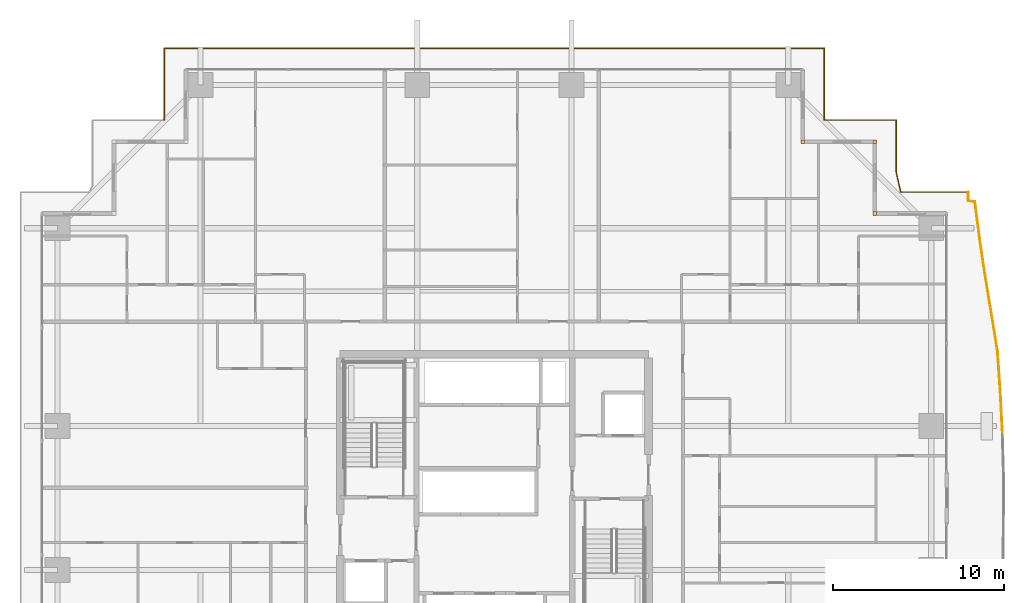
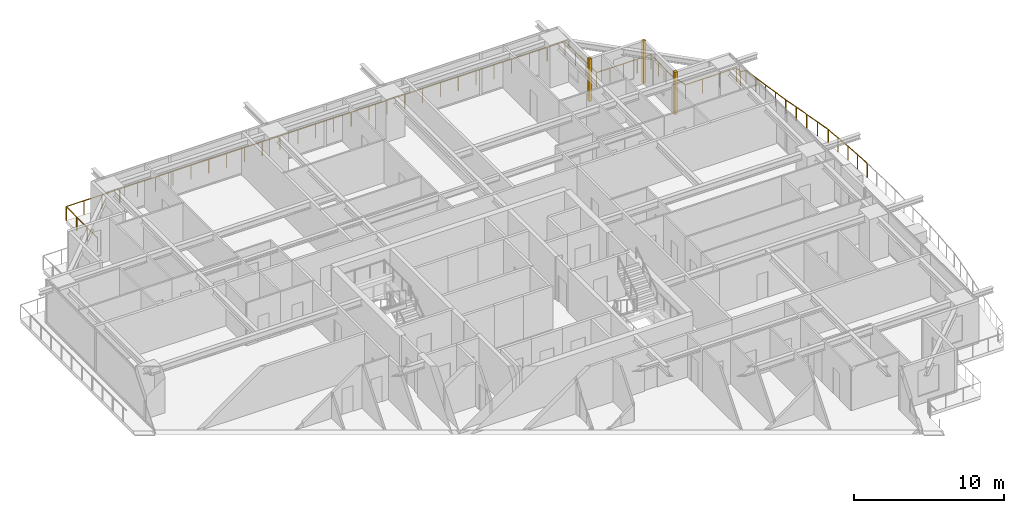
# One storey, part 39 of 39: 3 coverings, 2 railings.
"""IFC4 building model written with IfcOpenShell, lengths in metres."""

import ifcopenshell
import ifcopenshell.guid

model = None  # the IFC model being written
_history = None  # IfcOwnerHistory: only IFC2X3 demands one
_inside = {}  # id of a spatial element -> (the spatial element, [elements in it])
_under = {}  # id of a project, library or spatial element -> (it, [spatial elements below it])
_declared = {}  # id of a project -> (the project, [libraries it declares])
_typed = {}  # id of a type object -> (the type object, [elements of that type])
_made_of = {}  # id of a material, layer set ... -> (it, [elements and type objects made of it])


def new_model(schema):
    """Start an empty IFC model of exactly this schema.

    Asked for "IFC4X3", IfcOpenShell would pick the latest addendum, in which some entities
    have other attributes; the version numbers below select the first issue.
    IFC2X3 requires an IfcOwnerHistory on every rooted entity: one is made here for all.
    """
    global model, _history
    if schema == "IFC4X3":
        model = ifcopenshell.file(schema_version=(4, 3, 0, 0))
    else:
        model = ifcopenshell.file(schema=schema)
    _inside.clear()
    _under.clear()
    _declared.clear()
    _typed.clear()
    _made_of.clear()
    _history = None
    if model.schema == "IFC2X3":
        org = make("IfcOrganization", Name="unknown")
        user = make(
            "IfcPersonAndOrganization",
            ThePerson=make("IfcPerson", FamilyName="unknown"),
            TheOrganization=org,
        )
        app = make(
            "IfcApplication",
            ApplicationDeveloper=org,
            Version="unknown",
            ApplicationFullName="unknown",
            ApplicationIdentifier="unknown",
        )
        _history = make(
            "IfcOwnerHistory",
            OwningUser=user,
            OwningApplication=app,
            ChangeAction="ADDED",
            CreationDate=0,
        )
    return model


def make(cls, **values):
    """One entity of the class cls with the attributes given. An attribute that is None is left unset."""
    return model.create_entity(
        cls, **{name: value for name, value in values.items() if value is not None}
    )


def rooted(cls, **values):
    """An entity with a GlobalId (a new one), such as an element, a storey or a relation."""
    return make(cls, GlobalId=ifcopenshell.guid.new(), OwnerHistory=_history, **values)


def si_unit(unit_type, name, prefix=None):
    """IfcSIUnit, for example si_unit("LENGTHUNIT", "METRE", prefix="MILLI")."""
    return make("IfcSIUnit", UnitType=unit_type, Prefix=prefix, Name=name)


def assignment(units):
    """IfcUnitAssignment: the units of a project."""
    return None if units is None else make("IfcUnitAssignment", Units=units)


def point(xyz):
    """IfcCartesianPoint."""
    return None if xyz is None else make("IfcCartesianPoint", Coordinates=xyz)


def direction(xyz):
    """IfcDirection."""
    return None if xyz is None else make("IfcDirection", DirectionRatios=xyz)


def frame(location, z_axis=None, x_axis=None):
    """IfcAxis2Placement3D, a coordinate frame: its origin and axes. An axis left out is left unset."""
    return make(
        "IfcAxis2Placement3D",
        Location=point(location),
        Axis=direction(z_axis),
        RefDirection=direction(x_axis),
    )


def frame_2d(location, x_axis=None):
    """IfcAxis2Placement2D, a coordinate frame in the plane: its origin and x axis."""
    return make(
        "IfcAxis2Placement2D", Location=point(location), RefDirection=direction(x_axis)
    )


def origin():
    """The frame at (0, 0, 0) with its axes left unset."""
    return frame((0.0, 0.0, 0.0))


def origin_2d():
    """The frame at (0, 0) in the plane with its x axis left unset."""
    return frame_2d((0.0, 0.0))


def place(relative_to, where):
    """IfcLocalPlacement: puts the frame where relative to a parent placement (None: the world)."""
    return make(
        "IfcLocalPlacement", PlacementRelTo=relative_to, RelativePlacement=where
    )


def context(
    kind, dimensions, precision=None, world=None, true_north=None, identifier=None
):
    """IfcGeometricRepresentationContext, for example the 3D "Model" context."""
    return make(
        "IfcGeometricRepresentationContext",
        ContextIdentifier=identifier,
        ContextType=kind,
        CoordinateSpaceDimension=dimensions,
        Precision=precision,
        WorldCoordinateSystem=world,
        TrueNorth=true_north,
    )


def subcontext(parent, identifier, kind, view, scale=None):
    """IfcGeometricRepresentationSubContext, for example "Body" below "Model"."""
    return make(
        "IfcGeometricRepresentationSubContext",
        ContextIdentifier=identifier,
        ContextType=kind,
        ParentContext=parent,
        TargetScale=scale,
        TargetView=view,
    )


def project(units=None, contexts=None):
    """IfcProject with its units and contexts."""
    return rooted(
        "IfcProject",
        Name="project",
        RepresentationContexts=contexts,
        UnitsInContext=assignment(units),
    )


def spatial(cls, under=None, at=None, **own):
    """A site, building, storey or space (cls), placed at a placement, below another one or the project."""
    s = rooted(cls, ObjectPlacement=at, **own)
    if under is not None:
        _under.setdefault(under.id(), (under, []))[1].append(s)
    return s


def profile(cls, at=None, kind="AREA", **sizes):
    """A parametric profile (cls). Its sizes go by their IFC names, for example OverallWidth=200.0."""
    return make(cls, ProfileType=kind, Position=at, **sizes)


def rectangle(**sizes):
    """IfcRectangleProfileDef."""
    return profile("IfcRectangleProfileDef", **sizes)


def circle(**sizes):
    """IfcCircleProfileDef."""
    return profile("IfcCircleProfileDef", **sizes)


def extrude(swept, where, along, depth):
    """IfcExtrudedAreaSolid: the profile swept, set in the frame where, extruded along a direction by depth."""
    return make(
        "IfcExtrudedAreaSolid",
        SweptArea=swept,
        Position=where,
        ExtrudedDirection=direction(along),
        Depth=depth,
    )


def shape(context_of_items, identifier, shape_type, items):
    """IfcShapeRepresentation: the items that make up one representation, for example the "Body"."""
    return make(
        "IfcShapeRepresentation",
        ContextOfItems=context_of_items,
        RepresentationIdentifier=identifier,
        RepresentationType=shape_type,
        Items=items,
    )


def source(mapping_origin, context_of_items, identifier, shape_type, items):
    """IfcRepresentationMap: a shape defined once, which mapped items show again and again."""
    return make(
        "IfcRepresentationMap",
        MappingOrigin=mapping_origin,
        MappedRepresentation=shape(context_of_items, identifier, shape_type, items),
    )


def transform(
    local_origin,
    x_axis=None,
    y_axis=None,
    z_axis=None,
    scale=None,
    scale2=None,
    scale3=None,
    uniform=True,
):
    """IfcCartesianTransformationOperator3D, or its non-uniform kind. x_axis, y_axis, z_axis: its Axis1, 2, 3."""
    if uniform:
        return make(
            "IfcCartesianTransformationOperator3D",
            Axis1=direction(x_axis),
            Axis2=direction(y_axis),
            LocalOrigin=point(local_origin),
            Scale=scale,
            Axis3=direction(z_axis),
        )
    return make(
        "IfcCartesianTransformationOperator3DnonUniform",
        Axis1=direction(x_axis),
        Axis2=direction(y_axis),
        LocalOrigin=point(local_origin),
        Scale=scale,
        Axis3=direction(z_axis),
        Scale2=scale2,
        Scale3=scale3,
    )


def mapped(mapping_source, mapping_target):
    """IfcMappedItem: shows the shape of a source again, moved by a transform."""
    return make(
        "IfcMappedItem", MappingSource=mapping_source, MappingTarget=mapping_target
    )


def material(Name=None, Category=None):
    """IfcMaterial."""
    return make("IfcMaterial", Name=Name, Category=Category)


def layer(
    of_material, thickness, ventilated=None, Name=None, Category=None, Priority=None
):
    """IfcMaterialLayer: one layer of a wall or slab, of a material (None: an air gap)."""
    return make(
        "IfcMaterialLayer",
        Material=of_material,
        LayerThickness=thickness,
        IsVentilated=ventilated,
        Name=Name,
        Category=Category,
        Priority=Priority,
    )


def layer_set(layers, Name=None):
    """IfcMaterialLayerSet."""
    return make("IfcMaterialLayerSet", MaterialLayers=layers, LayerSetName=Name)


def made_of(thing, what):
    """Note that an element or type object is made of a material, layer set ...; save() writes the relation."""
    if what is not None:
        _made_of.setdefault(what.id(), (what, []))[1].append(thing)
    return thing


def type_object(cls, material=None, **own):
    """A type object (cls), such as IfcWallType, which elements share."""
    return made_of(rooted(cls, **own), material)


def element(
    cls,
    number,
    at=None,
    inside=None,
    cuts=None,
    type_object=None,
    material=None,
    context=None,
    identifier="Body",
    shape_type=None,
    held_by="IfcProductDefinitionShape",
    body=None,
    shapes=None,
    **own,
):
    """One element of the class cls, such as IfcWall. Its Tag is "e" and its number.

    at: its placement. inside: the storey or other place that contains it. cuts: it is an
    opening in that element (IfcRelVoidsElement). A single representation is given by context,
    identifier, shape_type and body (its items); several are given by shapes. held_by: the class
    of the entity that holds the representations. save() writes the other relations.
    """
    e = rooted(cls, Tag="e%d" % number, ObjectPlacement=at, **own)
    if body is not None:
        shapes = [shape(context, identifier, shape_type, body)]
    if shapes is not None:
        e.Representation = make(held_by, Representations=shapes)
    if inside is not None:
        _inside.setdefault(inside.id(), (inside, []))[1].append(e)
    if cuts is not None:
        rooted(
            "IfcRelVoidsElement", RelatingBuildingElement=cuts, RelatedOpeningElement=e
        )
    if type_object is not None:
        _typed.setdefault(type_object.id(), (type_object, []))[1].append(e)
    return made_of(e, material)


def aggregate(whole, parts):
    """IfcRelAggregates: a whole, such as a stair, and the parts it consists of."""
    return rooted("IfcRelAggregates", RelatingObject=whole, RelatedObjects=parts)


def save(model, path):
    """Write the relations noted so far, then the file.

    IfcRelAggregates (storeys below a building ...), IfcRelContainedInSpatialStructure (elements
    in a storey), IfcRelDefinesByType, IfcRelAssociatesMaterial and IfcRelDeclares: one each for
    every whole, place, type object, material and project.
    """
    for whole, parts in _under.values():
        aggregate(whole, parts)
    for where, things in _inside.values():
        rooted(
            "IfcRelContainedInSpatialStructure",
            RelatedElements=things,
            RelatingStructure=where,
        )
    for kind, things in _typed.values():
        rooted("IfcRelDefinesByType", RelatedObjects=things, RelatingType=kind)
    for what, things in _made_of.values():
        rooted("IfcRelAssociatesMaterial", RelatedObjects=things, RelatingMaterial=what)
    for by, libraries in _declared.values():
        rooted("IfcRelDeclares", RelatingContext=by, RelatedDefinitions=libraries)
    model.write(path)


model = new_model("IFC4")

# Units and contexts
model_context = context("Model", 3, precision=1e-05, world=origin(), true_north=direction((0.0, 1.0)))
body_context = subcontext(model_context, "Body", "Model", "MODEL_VIEW")
ifc_project = project(units=[si_unit("LENGTHUNIT", "METRE"), si_unit("AREAUNIT", "SQUARE_METRE"), si_unit("VOLUMEUNIT", "CUBIC_METRE"), si_unit("PLANEANGLEUNIT", "RADIAN"), si_unit("MASSUNIT", "GRAM", prefix="KILO")], contexts=[model_context])

# Site, building, storey
site_placement = place(None, origin())
site = spatial("IfcSite", under=ifc_project, at=site_placement, CompositionType="ELEMENT")
building_placement = place(site_placement, origin())
building = spatial("IfcBuilding", under=site, at=building_placement, Name="Serunith Strait Residences", CompositionType="ELEMENT")
storey_placement = place(building_placement, frame((0.0, 0.0, 49.199951171875)))
storey = spatial("IfcBuildingStorey", under=building, at=storey_placement, Name="L11", CompositionType="ELEMENT", Elevation=49.199951171875)

# Railings
ifc_material_1 = material(Name="Stainless Steel & Laminated Glass Balustrade", Category="steel")
railing_type = type_object("IfcRailingType", Name="RLG-BALC-1150", PredefinedType="BALUSTRADE", material=ifc_material_1)
railing_1_placement = place(storey_placement, frame((13.139892578125, 47.260009765625, -0.050048828125)))
element("IfcRailing", 1, at=railing_1_placement, inside=storey, type_object=railing_type, Name="L11 Swirling Balcony Perimeter Balustrade 2", PredefinedType="BALUSTRADE", context=body_context, shape_type="SweptSolid", body=[
    extrude(circle(Radius=0.02392578125, at=origin_2d()), frame((0.0, 0.001953125, 1.1259765625), z_axis=(0.0, 1.0, 0.0), x_axis=(-1.0, 0.0, 0.0)), (0.0, 0.0, 1.0), 4.196044921875),
    extrude(circle(Radius=0.02392578125, at=origin_2d()), frame((0.001953125, 4.199951171875, 1.1259765625), z_axis=(1.0, 0.0, 0.0), x_axis=(0.0, 1.0, 0.0)), (0.0, 0.0, 1.0), 38.51611328125),
    extrude(circle(Radius=0.02392578125, at=origin_2d()), frame((38.52001953125, 4.197998046875, 1.1259765625), z_axis=(0.0, -1.0, 0.0), x_axis=(1.0, 0.0, 0.0)), (0.0, 0.0, 1.0), 4.196044921875),
    extrude(circle(Radius=0.02392578125, at=origin_2d()), frame((38.52197265625, 0.0, 1.1259765625), z_axis=(1.0, 0.0, 0.0), x_axis=(0.0, 1.0, 0.0)), (0.0, 0.0, 1.0), 4.1962890625),
    extrude(circle(Radius=0.02392578125, at=origin_2d()), frame((42.72021484375, -0.001953125, 1.1259765625), z_axis=(0.0, -1.0, 0.0), x_axis=(1.0, 0.0, 0.0)), (0.0, 0.0, 1.0), 3.0458984375),
    extrude(circle(Radius=0.02392578125, at=origin_2d()), frame((42.720703125, -3.0517578125, 1.1259765625), z_axis=(0.221486899047, -0.975163347112, 0.0), x_axis=(0.975163347112, 0.221486899047, 0.0)), (0.0, 0.0, 1.0), 1.175537109375),
    extrude(circle(Radius=0.02392578125, at=origin_2d()), frame((42.9833984375, -4.199951171875, 1.1259765625), z_axis=(1.0, 0.0, 0.0), x_axis=(0.0, 1.0, 0.0)), (0.0, 0.0, 1.0), 3.934814453125),
    extrude(circle(Radius=0.02099609375, at=origin_2d()), origin(), (0.0, 0.0, 1.0), 1.099853515625),
    extrude(circle(Radius=0.02099609375, at=origin_2d()), frame((0.0, 1.39990234375, 0.0)), (0.0, 0.0, 1.0), 1.099853515625),
    extrude(circle(Radius=0.02099609375, at=origin_2d()), frame((0.0, 2.800048828125, 0.0)), (0.0, 0.0, 1.0), 1.099853515625),
    extrude(circle(Radius=0.02099609375, at=origin_2d()), frame((0.0, 4.199951171875, 0.0)), (0.0, 0.0, 1.0), 1.099853515625),
    extrude(circle(Radius=0.02099609375, at=origin_2d()), frame((1.375732421875, 4.199951171875, 0.0)), (0.0, 0.0, 1.0), 1.099853515625),
    extrude(circle(Radius=0.02099609375, at=origin_2d()), frame((2.75146484375, 4.199951171875, 0.0)), (0.0, 0.0, 1.0), 1.099853515625),
    extrude(circle(Radius=0.02099609375, at=origin_2d()), frame((4.127197265625, 4.199951171875, 0.0)), (0.0, 0.0, 1.0), 1.099853515625),
    extrude(circle(Radius=0.02099609375, at=origin_2d()), frame((5.5029296875, 4.199951171875, 0.0)), (0.0, 0.0, 1.0), 1.099853515625),
    extrude(circle(Radius=0.02099609375, at=origin_2d()), frame((6.878662109375, 4.199951171875, 0.0)), (0.0, 0.0, 1.0), 1.099853515625),
    extrude(circle(Radius=0.02099609375, at=origin_2d()), frame((8.25439453125, 4.199951171875, 0.0)), (0.0, 0.0, 1.0), 1.099853515625),
    extrude(circle(Radius=0.02099609375, at=origin_2d()), frame((9.6298828125, 4.199951171875, 0.0)), (0.0, 0.0, 1.0), 1.099853515625),
    extrude(circle(Radius=0.02099609375, at=origin_2d()), frame((11.005615234375, 4.199951171875, 0.0)), (0.0, 0.0, 1.0), 1.099853515625),
    extrude(circle(Radius=0.02099609375, at=origin_2d()), frame((12.38134765625, 4.199951171875, 0.0)), (0.0, 0.0, 1.0), 1.099853515625),
    extrude(circle(Radius=0.02099609375, at=origin_2d()), frame((13.757080078125, 4.199951171875, 0.0)), (0.0, 0.0, 1.0), 1.099853515625),
    extrude(circle(Radius=0.02099609375, at=origin_2d()), frame((15.1328125, 4.199951171875, 0.0)), (0.0, 0.0, 1.0), 1.099853515625),
    extrude(circle(Radius=0.02099609375, at=origin_2d()), frame((16.508544921875, 4.199951171875, 0.0)), (0.0, 0.0, 1.0), 1.099853515625),
    extrude(circle(Radius=0.02099609375, at=origin_2d()), frame((17.88427734375, 4.199951171875, 0.0)), (0.0, 0.0, 1.0), 1.099853515625),
    extrude(circle(Radius=0.02099609375, at=origin_2d()), frame((19.260009765625, 4.199951171875, 0.0)), (0.0, 0.0, 1.0), 1.099853515625),
    extrude(circle(Radius=0.02099609375, at=origin_2d()), frame((20.6357421875, 4.199951171875, 0.0)), (0.0, 0.0, 1.0), 1.099853515625),
    extrude(circle(Radius=0.02099609375, at=origin_2d()), frame((22.011474609375, 4.199951171875, 0.0)), (0.0, 0.0, 1.0), 1.099853515625),
    extrude(circle(Radius=0.02099609375, at=origin_2d()), frame((23.38720703125, 4.199951171875, 0.0)), (0.0, 0.0, 1.0), 1.099853515625),
    extrude(circle(Radius=0.02099609375, at=origin_2d()), frame((24.762939453125, 4.199951171875, 0.0)), (0.0, 0.0, 1.0), 1.099853515625),
    extrude(circle(Radius=0.02099609375, at=origin_2d()), frame((26.138671875, 4.199951171875, 0.0)), (0.0, 0.0, 1.0), 1.099853515625),
    extrude(circle(Radius=0.02099609375, at=origin_2d()), frame((27.514404296875, 4.199951171875, 0.0)), (0.0, 0.0, 1.0), 1.099853515625),
    extrude(circle(Radius=0.02099609375, at=origin_2d()), frame((28.89013671875, 4.199951171875, 0.0)), (0.0, 0.0, 1.0), 1.099853515625),
    extrude(circle(Radius=0.02099609375, at=origin_2d()), frame((30.265625, 4.199951171875, 0.0)), (0.0, 0.0, 1.0), 1.099853515625),
    extrude(circle(Radius=0.02099609375, at=origin_2d()), frame((31.641357421875, 4.199951171875, 0.0)), (0.0, 0.0, 1.0), 1.099853515625),
    extrude(circle(Radius=0.02099609375, at=origin_2d()), frame((33.01708984375, 4.199951171875, 0.0)), (0.0, 0.0, 1.0), 1.099853515625),
    extrude(circle(Radius=0.02099609375, at=origin_2d()), frame((34.392822265625, 4.199951171875, 0.0)), (0.0, 0.0, 1.0), 1.099853515625),
    extrude(circle(Radius=0.02099609375, at=origin_2d()), frame((35.7685546875, 4.199951171875, 0.0)), (0.0, 0.0, 1.0), 1.099853515625),
    extrude(circle(Radius=0.02099609375, at=origin_2d()), frame((37.144287109375, 4.199951171875, 0.0)), (0.0, 0.0, 1.0), 1.099853515625),
    extrude(circle(Radius=0.02099609375, at=origin_2d()), frame((38.52001953125, 4.199951171875, 0.0)), (0.0, 0.0, 1.0), 1.099853515625),
    extrude(circle(Radius=0.02099609375, at=origin_2d()), frame((38.52001953125, 2.800048828125, 0.0)), (0.0, 0.0, 1.0), 1.099853515625),
    extrude(circle(Radius=0.02099609375, at=origin_2d()), frame((38.52001953125, 1.39990234375, 0.0)), (0.0, 0.0, 1.0), 1.099853515625),
    extrude(circle(Radius=0.02099609375, at=origin_2d()), frame((38.52001953125, 0.0, 0.0)), (0.0, 0.0, 1.0), 1.099853515625),
    extrude(circle(Radius=0.02099609375, at=origin_2d()), frame((39.570068359375, 0.0, 0.0)), (0.0, 0.0, 1.0), 1.099853515625),
    extrude(circle(Radius=0.02099609375, at=origin_2d()), frame((40.6201171875, 0.0, 0.0)), (0.0, 0.0, 1.0), 1.099853515625),
    extrude(circle(Radius=0.02099609375, at=origin_2d()), frame((41.670166015625, 0.0, 0.0)), (0.0, 0.0, 1.0), 1.099853515625),
    extrude(circle(Radius=0.02099609375, at=origin_2d()), frame((42.72021484375, 0.0, 0.0)), (0.0, 0.0, 1.0), 1.099853515625),
    extrude(circle(Radius=0.02099609375, at=origin_2d()), frame((42.72021484375, -1.0166015625, 0.0)), (0.0, 0.0, 1.0), 1.099853515625),
    extrude(circle(Radius=0.02099609375, at=origin_2d()), frame((42.72021484375, -2.033203125, 0.0)), (0.0, 0.0, 1.0), 1.099853515625),
    extrude(circle(Radius=0.02099609375, at=origin_2d()), frame((42.72021484375, -3.0498046875, 0.0)), (0.0, 0.0, 1.0), 1.099853515625),
    extrude(circle(Radius=0.02099609375, at=origin_2d()), frame((42.9814453125, -4.199951171875, 0.0)), (0.0, 0.0, 1.0), 1.099853515625),
    extrude(circle(Radius=0.02099609375, at=origin_2d()), frame((44.29443359375, -4.199951171875, 0.0)), (0.0, 0.0, 1.0), 1.099853515625),
    extrude(circle(Radius=0.02099609375, at=origin_2d()), frame((45.607177734375, -4.199951171875, 0.0)), (0.0, 0.0, 1.0), 1.099853515625),
    extrude(circle(Radius=0.02099609375, at=origin_2d()), frame((46.920166015625, -4.199951171875, 0.0)), (0.0, 0.0, 1.0), 1.099853515625),
])
railing_2_placement = place(storey_placement, frame((60.06005859375, 43.06005859375, -0.050048828125)))
element("IfcRailing", 2, at=railing_2_placement, inside=storey, type_object=railing_type, Name="L11 Swirling Balcony Perimeter Balustrade 3", PredefinedType="BALUSTRADE", context=body_context, shape_type="SweptSolid", body=[
    extrude(circle(Radius=0.02392578125, at=origin_2d()), frame((0.0, -0.001953125, 1.1259765625), z_axis=(0.0, -1.0, 0.0), x_axis=(1.0, 0.0, 0.0)), (0.0, 0.0, 1.0), 0.509521484375),
    extrude(circle(Radius=0.02392578125, at=origin_2d()), frame((0.001953125, -0.513671875, 1.1259765625), z_axis=(0.987231726413, -0.159290672555, 0.0), x_axis=(0.159290672555, 0.987231726413, 0.0)), (0.0, 0.0, 1.0), 0.391357421875),
    extrude(circle(Radius=0.02392578125, at=origin_2d()), frame((0.390625, -0.578369140625, 1.1259765625), z_axis=(0.126539058938, -0.99196162555, 0.0), x_axis=(0.99196162555, 0.126539058938, 0.0)), (0.0, 0.0, 1.0), 2.143310546875),
    extrude(circle(Radius=0.02392578125, at=origin_2d()), frame((0.662353515625, -2.70849609375, 1.1259765625), z_axis=(0.148252645918, -0.988949519934, 0.0), x_axis=(0.988949519934, 0.148252645918, 0.0)), (0.0, 0.0, 1.0), 2.17138671875),
    extrude(circle(Radius=0.02392578125, at=origin_2d()), frame((0.98486328125, -4.85986328125, 1.1259765625), z_axis=(0.16364938704, -0.986518564509, 0.0), x_axis=(0.986518564509, 0.16364938704, 0.0)), (0.0, 0.0, 1.0), 2.21435546875),
    extrude(circle(Radius=0.02392578125, at=origin_2d()), frame((1.347900390625, -7.04833984375, 1.1259765625), z_axis=(0.159701140245, -0.987165409546, 0.0), x_axis=(0.987165409546, 0.159701140245, 0.0)), (0.0, 0.0, 1.0), 2.272216796875),
    extrude(circle(Radius=0.02392578125, at=origin_2d()), frame((1.71142578125, -9.29541015625, 1.1259765625), z_axis=(0.068026234016, -0.997683532732, 0.0), x_axis=(0.997683532732, 0.068026234016, 0.0)), (0.0, 0.0, 1.0), 2.350341796875),
    extrude(circle(Radius=0.02392578125, at=origin_2d()), frame((1.871337890625, -11.644287109375, 1.1259765625), z_axis=(0.051633945772, -0.998666078148, 0.0), x_axis=(0.998666078148, 0.051633945772, 0.0)), (0.0, 0.0, 1.0), 2.379150390625),
    extrude(circle(Radius=0.02099609375, at=origin_2d()), origin(), (0.0, 0.0, 1.0), 1.099853515625),
    extrude(circle(Radius=0.02099609375, at=origin_2d()), frame((0.0, -0.513427734375, 0.0)), (0.0, 0.0, 1.0), 1.099853515625),
    extrude(circle(Radius=0.02099609375, at=origin_2d()), frame((0.390380859375, -0.576416015625, 0.0)), (0.0, 0.0, 1.0), 1.099853515625),
    extrude(circle(Radius=0.02099609375, at=origin_2d()), frame((0.5263671875, -1.6416015625, 0.0)), (0.0, 0.0, 1.0), 1.099853515625),
    extrude(circle(Radius=0.02099609375, at=origin_2d()), frame((0.662109375, -2.70654296875, 0.0)), (0.0, 0.0, 1.0), 1.099853515625),
    extrude(circle(Radius=0.02099609375, at=origin_2d()), frame((0.8232421875, -3.7822265625, 0.0)), (0.0, 0.0, 1.0), 1.099853515625),
    extrude(circle(Radius=0.02099609375, at=origin_2d()), frame((0.984619140625, -4.85791015625, 0.0)), (0.0, 0.0, 1.0), 1.099853515625),
    extrude(circle(Radius=0.02099609375, at=origin_2d()), frame((1.166015625, -5.9521484375, 0.0)), (0.0, 0.0, 1.0), 1.099853515625),
    extrude(circle(Radius=0.02099609375, at=origin_2d()), frame((1.34765625, -7.04638671875, 0.0)), (0.0, 0.0, 1.0), 1.099853515625),
    extrude(circle(Radius=0.02099609375, at=origin_2d()), frame((1.529296875, -8.169921875, 0.0)), (0.0, 0.0, 1.0), 1.099853515625),
    extrude(circle(Radius=0.02099609375, at=origin_2d()), frame((1.711181640625, -9.29345703125, 0.0)), (0.0, 0.0, 1.0), 1.099853515625),
    extrude(circle(Radius=0.02099609375, at=origin_2d()), frame((1.791259765625, -10.4677734375, 0.0)), (0.0, 0.0, 1.0), 1.099853515625),
    extrude(circle(Radius=0.02099609375, at=origin_2d()), frame((1.871337890625, -11.642333984375, 0.0)), (0.0, 0.0, 1.0), 1.099853515625),
    extrude(circle(Radius=0.02099609375, at=origin_2d()), frame((1.932861328125, -12.832275390625, 0.0)), (0.0, 0.0, 1.0), 1.099853515625),
    extrude(circle(Radius=0.02099609375, at=origin_2d()), frame((1.994384765625, -14.022216796875, 0.0)), (0.0, 0.0, 1.0), 1.099853515625),
])

# Coverings
ifc_material_2 = material(Name="Pale-Champagne Anodised Aluminium", Category="aluminium")
ifc_layer = layer(ifc_material_2, 0.219970703125, Name="Pale-Champagne Anodised Aluminium")
ifc_layer_set = layer_set([ifc_layer], Name="Pale-Champagne Anodised Aluminium")
covering_type = type_object("IfcCoveringType", Name="COV-CORN-TRIM", PredefinedType="CLADDING", material=ifc_layer_set)
shared_shape = source(origin(), body_context, "Body", "SweptSolid", [
    extrude(rectangle(XDim=0.221923828125, YDim=0.221923828125, at=origin_2d()), origin(), (0.0, 0.0, 1.0), 3.47509765625),
])
for number, where, z_axis, x_axis, name in (
    (3, (54.60009765625, 41.800048828125, 0.0), (0.0, 0.0, 1.0), (1.0, 0.0, 0.0), "L11 Girih Serrated Corner Trim Post 07"),
    (4, (54.60009765625, 46.0, 0.0), (0.0, 0.0, 1.0), (1.0, 0.0, 0.0), "L11 Girih Serrated Corner Trim Post 08"),
    (5, (50.39990234375, 46.0, 0.0), (0.0, 0.0, 1.0), (1.0, 0.0, 0.0), "L11 Girih Serrated Corner Trim Post 09"),
):
    element("IfcCovering", number, at=place(storey_placement, frame(where, z_axis=z_axis, x_axis=x_axis)), inside=storey, type_object=covering_type, Name=name, PredefinedType="CLADDING", context=body_context, shape_type="MappedRepresentation", body=[
        mapped(shared_shape, transform((0.0, 0.0, 0.0), scale=1.0)),
    ])

save(model, "model.ifc")
